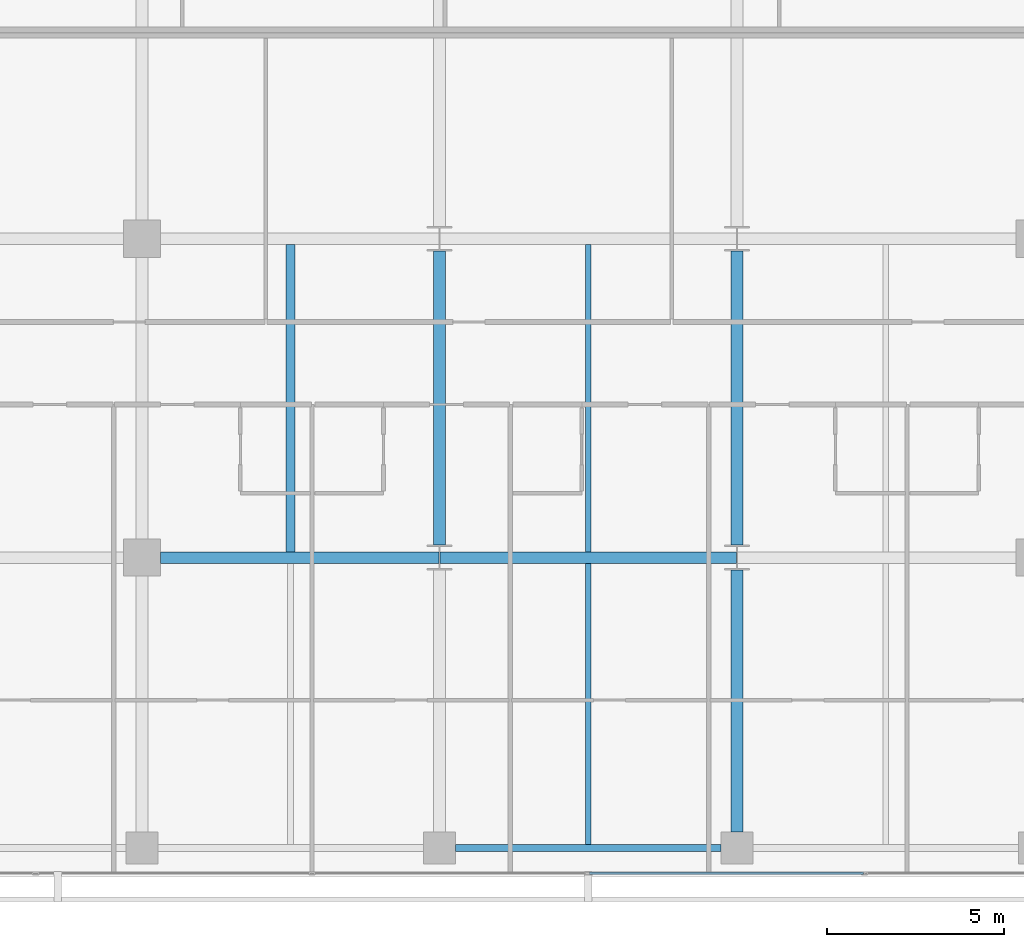
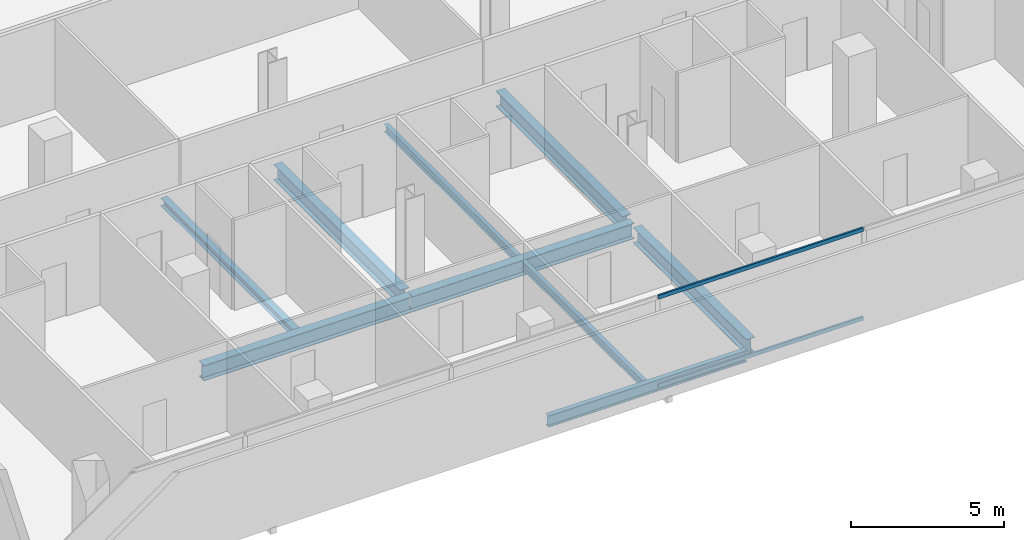
# One storey, part 9 of 40: 9 beams, 2 members, 1 element without a shape of its own.
"""IFC4 building model written with IfcOpenShell, lengths in metres."""

from ifc_helpers import new_model, si_unit, direction, frame, origin, origin_2d, place, context, subcontext, project, spatial, hollow_rectangle, i_section, extrude, material, layer, layer_set, material_profile, profile_set, type_object, element, aggregate, save


model = new_model("IFC4")

# Units and contexts
model_context = context("Model", 3, precision=1e-05, world=origin(), true_north=direction((0.0, 1.0)))
body_context = subcontext(model_context, "Body", "Model", "MODEL_VIEW")
ifc_project = project(units=[si_unit("LENGTHUNIT", "METRE"), si_unit("AREAUNIT", "SQUARE_METRE"), si_unit("VOLUMEUNIT", "CUBIC_METRE"), si_unit("PLANEANGLEUNIT", "RADIAN"), si_unit("MASSUNIT", "GRAM", prefix="KILO")], contexts=[model_context])

# Site, building, storey
site_placement = place(None, origin())
site = spatial("IfcSite", under=ifc_project, at=site_placement, CompositionType="ELEMENT")
building_placement = place(site_placement, origin())
building = spatial("IfcBuilding", under=site, at=building_placement, Name="Maruvema Waterfront Hotel and Observation Tower", CompositionType="ELEMENT")
storey_placement = place(building_placement, frame((0.0, 0.0, 53.89990234375)))
storey = spatial("IfcBuildingStorey", under=building, at=storey_placement, Name="L12", CompositionType="ELEMENT", Elevation=53.89990234375)

# Curtain wall, members
ifc_material_1 = material(Name="Anodised bronze aluminium and solar-control low-E IGU", Category="aluminium")
ifc_layer = layer(ifc_material_1, 0.159912109375, Name="Zone 1 Bronze Inner Thermal Curtain Wall System CW-02")
ifc_layer_set = layer_set([ifc_layer], Name="Anodised bronze aluminium and solar-control low-E IGU")
curtain_wall_type = type_object("IfcCurtainWallType", Name="Zone 1 Bronze Inner Thermal Curtain Wall System CW-02", PredefinedType="USERDEFINED", material=ifc_layer_set)
curtain_wall_placement = place(storey_placement, origin())
curtain_wall = element("IfcCurtainWall", 1, at=curtain_wall_placement, inside=storey, type_object=curtain_wall_type, Name="L12 Curtain Wall CW-L12-S", ObjectType="UNITISED CURTAIN WALL", PredefinedType="USERDEFINED")
ifc_material_2 = material(Name="Anodised architectural bronze aluminium", Category="aluminium")
ifc_material_profile_1 = material_profile(ifc_material_2, hollow_rectangle(XDim=0.070068359375, YDim=0.14990234375, WallThickness=0.00390625, at=origin_2d()), Name="ALU-T70x150")
ifc_profile_set_1 = profile_set([ifc_material_profile_1], Name="Anodised architectural bronze aluminium")
member_type = type_object("IfcMemberType", Name="Curtain Wall Horizontal Transom ALU-T70x150", PredefinedType="USERDEFINED", material=ifc_profile_set_1)
member_1_placement = place(storey_placement, frame((37.830078125, 0.080078125, 0.030029296875), z_axis=(1.0, 0.0, 0.0), x_axis=(0.0, 1.0, 0.0)))
member_1 = element("IfcMember", 2, at=member_1_placement, type_object=member_type, Name="CW-02 transom 4.1", ObjectType="TRANSOM", PredefinedType="USERDEFINED", context=body_context, shape_type="SweptSolid", body=[
    extrude(hollow_rectangle(XDim=0.070068359375, YDim=0.14990234375, WallThickness=0.00390625, at=origin_2d()), origin(), (0.0, 0.0, 1.0), 7.739990234375),
])
member_2_placement = place(storey_placement, frame((37.830078125, 0.080078125, 3.580078125), z_axis=(1.0, 0.0, 0.0), x_axis=(0.0, 1.0, 0.0)))
member_2 = element("IfcMember", 3, at=member_2_placement, type_object=member_type, Name="CW-02 transom 4.2", ObjectType="TRANSOM", PredefinedType="USERDEFINED", context=body_context, shape_type="SweptSolid", body=[
    extrude(hollow_rectangle(XDim=0.070068359375, YDim=0.14990234375, WallThickness=0.00390625, at=origin_2d()), origin(), (0.0, 0.0, 1.0), 7.739990234375),
])
aggregate(curtain_wall, [member_1, member_2])

# Beams
ifc_material_3 = material(Name="Steel ASTM A572 Grade 50", Category="steel")
ifc_material_profile_2 = material_profile(ifc_material_3, i_section(OverallWidth=0.18994140625, OverallDepth=0.45703125, WebThickness=0.009033203125, FlangeThickness=0.014404296875, FilletRadius=0.014892578125, at=origin_2d()), Name="W460x74.0")
ifc_profile_set_2 = profile_set([ifc_material_profile_2], Name="Steel ASTM A572 Grade 50")
beam_type_1 = type_object("IfcBeamType", Name="Perimeter Spandrel Beam W460x74.0", PredefinedType="SPANDREL", material=ifc_profile_set_2)
beam_1_placement = place(storey_placement, frame((34.050048828125, 0.800048828125, -0.468505859375), z_axis=(1.0, 0.0, 0.0), x_axis=(0.0, 1.0, 0.0)))
element("IfcBeam", 4, at=beam_1_placement, inside=storey, type_object=beam_type_1, Name="L12 Floor Girder EW-03", PredefinedType="SPANDREL", context=body_context, shape_type="SweptSolid", body=[
    extrude(i_section(OverallWidth=0.18994140625, OverallDepth=0.45703125, WebThickness=0.009033203125, FlangeThickness=0.014404296875, FilletRadius=0.014892578125, at=origin_2d()), origin(), (0.0, 0.0, 1.0), 7.5),
])
ifc_material_4 = material(Name="Steel ASTM A572 Grade 50", Category="steel")
ifc_material_profile_3 = material_profile(ifc_material_4, i_section(OverallWidth=0.326904296875, OverallDepth=0.6220703125, WebThickness=0.015380859375, FlangeThickness=0.0244140625, FilletRadius=0.01806640625, at=origin_2d()), Name="W610x195.0")
ifc_profile_set_3 = profile_set([ifc_material_profile_3], Name="Steel ASTM A572 Grade 50")
beam_type_2 = type_object("IfcBeamType", Name="Primary Floor Girder W610x195.0", PredefinedType="BEAM", material=ifc_profile_set_3)
beam_2_placement = place(storey_placement, frame((25.72509765625, 9.0, -0.55078125), z_axis=(1.0, 0.0, 0.0), x_axis=(0.0, 1.0, 0.0)))
element("IfcBeam", 5, at=beam_2_placement, inside=storey, type_object=beam_type_2, Name="L12 Floor Girder EW-08", PredefinedType="BEAM", context=body_context, shape_type="SweptSolid", body=[
    extrude(i_section(OverallWidth=0.326904296875, OverallDepth=0.6220703125, WebThickness=0.015380859375, FlangeThickness=0.0244140625, FilletRadius=0.01806640625, at=origin_2d()), origin(), (0.0, 0.0, 1.0), 7.86083984375),
])
beam_3_placement = place(storey_placement, frame((33.614013671875, 9.0, -0.55078125), z_axis=(1.0, 0.0, 0.0), x_axis=(0.0, 1.0, 0.0)))
element("IfcBeam", 6, at=beam_3_placement, inside=storey, type_object=beam_type_2, Name="L12 Floor Girder EW-09", PredefinedType="BEAM", context=body_context, shape_type="SweptSolid", body=[
    extrude(i_section(OverallWidth=0.326904296875, OverallDepth=0.6220703125, WebThickness=0.015380859375, FlangeThickness=0.0244140625, FilletRadius=0.01806640625, at=origin_2d()), origin(), (0.0, 0.0, 1.0), 8.3720703125),
])
beam_4_placement = place(storey_placement, frame((33.60009765625, 9.35009765625, -0.55078125), z_axis=(0.0, 1.0, 0.0), x_axis=(-1.0, 0.0, 0.0)))
element("IfcBeam", 7, at=beam_4_placement, inside=storey, type_object=beam_type_2, Name="L12 Floor Girder NS-17", PredefinedType="BEAM", context=body_context, shape_type="SweptSolid", body=[
    extrude(i_section(OverallWidth=0.326904296875, OverallDepth=0.6220703125, WebThickness=0.015380859375, FlangeThickness=0.0244140625, FilletRadius=0.01806640625, at=origin_2d()), origin(), (0.0, 0.0, 1.0), 8.2998046875),
])
beam_5_placement = place(storey_placement, frame((42.0, 1.25, -0.55078125), z_axis=(0.0, 1.0, 0.0), x_axis=(-1.0, 0.0, 0.0)))
element("IfcBeam", 8, at=beam_5_placement, inside=storey, type_object=beam_type_2, Name="L12 Floor Girder NS-19", PredefinedType="BEAM", context=body_context, shape_type="SweptSolid", body=[
    extrude(i_section(OverallWidth=0.326904296875, OverallDepth=0.6220703125, WebThickness=0.015380859375, FlangeThickness=0.0244140625, FilletRadius=0.01806640625, at=origin_2d()), origin(), (0.0, 0.0, 1.0), 7.39990234375),
])
beam_6_placement = place(storey_placement, frame((42.0, 9.35009765625, -0.55078125), z_axis=(0.0, 1.0, 0.0), x_axis=(-1.0, 0.0, 0.0)))
element("IfcBeam", 9, at=beam_6_placement, inside=storey, type_object=beam_type_2, Name="L12 Floor Girder NS-20", PredefinedType="BEAM", context=body_context, shape_type="SweptSolid", body=[
    extrude(i_section(OverallWidth=0.326904296875, OverallDepth=0.6220703125, WebThickness=0.015380859375, FlangeThickness=0.0244140625, FilletRadius=0.01806640625, at=origin_2d()), origin(), (0.0, 0.0, 1.0), 8.2998046875),
])
ifc_material_5 = material(Name="Steel ASTM A572 Grade 50", Category="steel")
ifc_material_profile_4 = material_profile(ifc_material_5, i_section(OverallWidth=0.1650390625, OverallDepth=0.31005859375, WebThickness=0.005859375, FlangeThickness=0.009765625, FilletRadius=0.012939453125, at=origin_2d()), Name="W310x38.7")
ifc_profile_set_4 = profile_set([ifc_material_profile_4], Name="Steel ASTM A572 Grade 50")
beam_type_3 = type_object("IfcBeamType", Name="Secondary Floor Joist W310x38.7", PredefinedType="JOIST", material=ifc_profile_set_4)
beam_7_placement = place(storey_placement, frame((37.800048828125, 9.16357421875, -0.39501953125), z_axis=(0.0, 1.0, 0.0), x_axis=(-1.0, 0.0, 0.0)))
element("IfcBeam", 10, at=beam_7_placement, inside=storey, type_object=beam_type_3, Name="L12 Secondary Floor Joist JS-13", PredefinedType="JOIST", context=body_context, shape_type="SweptSolid", body=[
    extrude(i_section(OverallWidth=0.1650390625, OverallDepth=0.31005859375, WebThickness=0.005859375, FlangeThickness=0.009765625, FilletRadius=0.012939453125, at=origin_2d()), origin(), (0.0, 0.0, 1.0), 8.6728515625),
])
ifc_material_6 = material(Name="Steel ASTM A572 Grade 50", Category="steel")
ifc_material_profile_5 = material_profile(ifc_material_6, i_section(OverallWidth=0.1669921875, OverallDepth=0.31689453125, WebThickness=0.007568359375, FlangeThickness=0.01318359375, FilletRadius=0.012939453125, at=origin_2d()), Name="W310x52.0")
ifc_profile_set_5 = profile_set([ifc_material_profile_5], Name="Steel ASTM A572 Grade 50")
beam_type_4 = type_object("IfcBeamType", Name="Secondary Floor Joist W310x52.0", PredefinedType="JOIST", material=ifc_profile_set_5)
beam_8_placement = place(storey_placement, frame((37.800048828125, 0.89501953125, -0.3984375), z_axis=(0.0, 1.0, 0.0), x_axis=(-1.0, 0.0, 0.0)))
element("IfcBeam", 11, at=beam_8_placement, inside=storey, type_object=beam_type_4, Name="L12 Secondary Floor Joist JS-12", PredefinedType="JOIST", context=body_context, shape_type="SweptSolid", body=[
    extrude(i_section(OverallWidth=0.1669921875, OverallDepth=0.31689453125, WebThickness=0.007568359375, FlangeThickness=0.01318359375, FilletRadius=0.012939453125, at=origin_2d()), origin(), (0.0, 0.0, 1.0), 7.94140625),
])
ifc_material_7 = material(Name="Steel ASTM A572 Grade 50", Category="steel")
ifc_material_profile_6 = material_profile(ifc_material_7, i_section(OverallWidth=0.25390625, OverallDepth=0.305908203125, WebThickness=0.0087890625, FlangeThickness=0.0146484375, FilletRadius=0.014892578125, at=origin_2d()), Name="W310x79.0")
ifc_profile_set_6 = profile_set([ifc_material_profile_6], Name="Steel ASTM A572 Grade 50")
beam_type_5 = type_object("IfcBeamType", Name="Secondary Floor Joist W310x79.0", PredefinedType="JOIST", material=ifc_profile_set_6)
beam_9_placement = place(storey_placement, frame((29.39990234375, 9.16357421875, -0.392822265625), z_axis=(0.0, 1.0, 0.0), x_axis=(-1.0, 0.0, 0.0)))
element("IfcBeam", 12, at=beam_9_placement, inside=storey, type_object=beam_type_5, Name="L12 Secondary Floor Joist JS-11", PredefinedType="JOIST", context=body_context, shape_type="SweptSolid", body=[
    extrude(i_section(OverallWidth=0.25390625, OverallDepth=0.305908203125, WebThickness=0.0087890625, FlangeThickness=0.0146484375, FilletRadius=0.014892578125, at=origin_2d()), origin(), (0.0, 0.0, 1.0), 8.6728515625),
])

save(model, "model.ifc")
